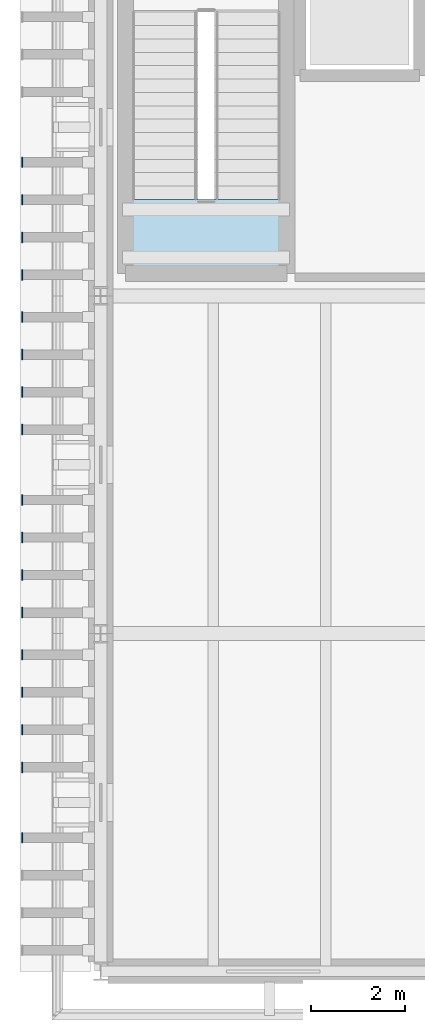
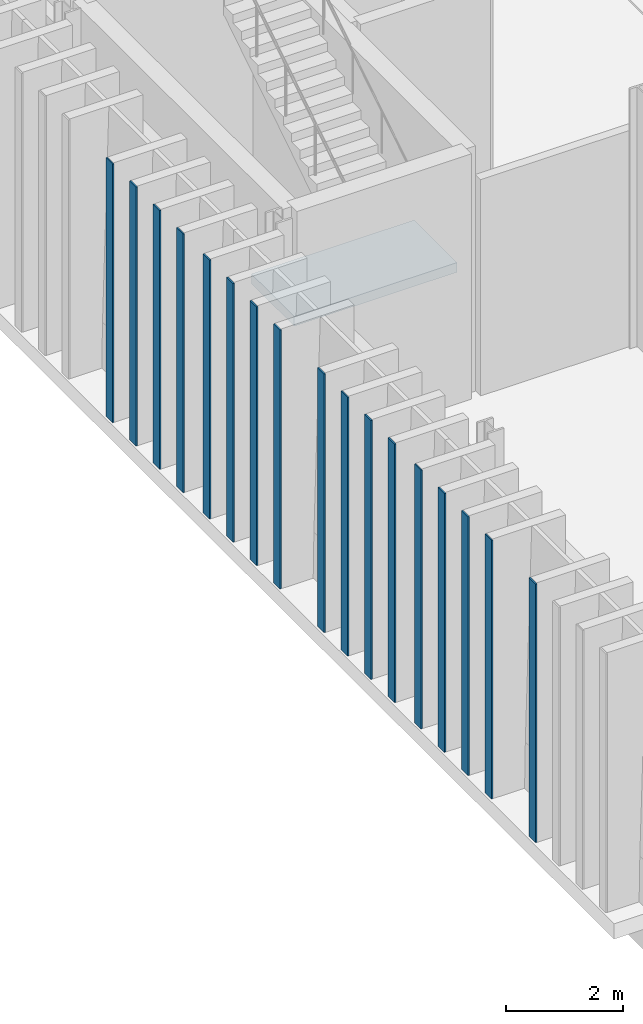
# One storey, part 48 of 120: 17 plates, 1 slab, 1 element without a shape of its own.
"""IFC4 building model written with IfcOpenShell, lengths in metres."""

import ifcopenshell
import ifcopenshell.guid

model = None  # the IFC model being written
_history = None  # IfcOwnerHistory: only IFC2X3 demands one
_inside = {}  # id of a spatial element -> (the spatial element, [elements in it])
_under = {}  # id of a project, library or spatial element -> (it, [spatial elements below it])
_declared = {}  # id of a project -> (the project, [libraries it declares])
_typed = {}  # id of a type object -> (the type object, [elements of that type])
_made_of = {}  # id of a material, layer set ... -> (it, [elements and type objects made of it])


def new_model(schema):
    """Start an empty IFC model of exactly this schema.

    Asked for "IFC4X3", IfcOpenShell would pick the latest addendum, in which some entities
    have other attributes; the version numbers below select the first issue.
    IFC2X3 requires an IfcOwnerHistory on every rooted entity: one is made here for all.
    """
    global model, _history
    if schema == "IFC4X3":
        model = ifcopenshell.file(schema_version=(4, 3, 0, 0))
    else:
        model = ifcopenshell.file(schema=schema)
    _inside.clear()
    _under.clear()
    _declared.clear()
    _typed.clear()
    _made_of.clear()
    _history = None
    if model.schema == "IFC2X3":
        org = make("IfcOrganization", Name="unknown")
        user = make(
            "IfcPersonAndOrganization",
            ThePerson=make("IfcPerson", FamilyName="unknown"),
            TheOrganization=org,
        )
        app = make(
            "IfcApplication",
            ApplicationDeveloper=org,
            Version="unknown",
            ApplicationFullName="unknown",
            ApplicationIdentifier="unknown",
        )
        _history = make(
            "IfcOwnerHistory",
            OwningUser=user,
            OwningApplication=app,
            ChangeAction="ADDED",
            CreationDate=0,
        )
    return model


def make(cls, **values):
    """One entity of the class cls with the attributes given. An attribute that is None is left unset."""
    return model.create_entity(
        cls, **{name: value for name, value in values.items() if value is not None}
    )


def rooted(cls, **values):
    """An entity with a GlobalId (a new one), such as an element, a storey or a relation."""
    return make(cls, GlobalId=ifcopenshell.guid.new(), OwnerHistory=_history, **values)


def si_unit(unit_type, name, prefix=None):
    """IfcSIUnit, for example si_unit("LENGTHUNIT", "METRE", prefix="MILLI")."""
    return make("IfcSIUnit", UnitType=unit_type, Prefix=prefix, Name=name)


def assignment(units):
    """IfcUnitAssignment: the units of a project."""
    return None if units is None else make("IfcUnitAssignment", Units=units)


def point(xyz):
    """IfcCartesianPoint."""
    return None if xyz is None else make("IfcCartesianPoint", Coordinates=xyz)


def direction(xyz):
    """IfcDirection."""
    return None if xyz is None else make("IfcDirection", DirectionRatios=xyz)


def frame(location, z_axis=None, x_axis=None):
    """IfcAxis2Placement3D, a coordinate frame: its origin and axes. An axis left out is left unset."""
    return make(
        "IfcAxis2Placement3D",
        Location=point(location),
        Axis=direction(z_axis),
        RefDirection=direction(x_axis),
    )


def frame_2d(location, x_axis=None):
    """IfcAxis2Placement2D, a coordinate frame in the plane: its origin and x axis."""
    return make(
        "IfcAxis2Placement2D", Location=point(location), RefDirection=direction(x_axis)
    )


def origin():
    """The frame at (0, 0, 0) with its axes left unset."""
    return frame((0.0, 0.0, 0.0))


def origin_2d():
    """The frame at (0, 0) in the plane with its x axis left unset."""
    return frame_2d((0.0, 0.0))


def place(relative_to, where):
    """IfcLocalPlacement: puts the frame where relative to a parent placement (None: the world)."""
    return make(
        "IfcLocalPlacement", PlacementRelTo=relative_to, RelativePlacement=where
    )


def context(
    kind, dimensions, precision=None, world=None, true_north=None, identifier=None
):
    """IfcGeometricRepresentationContext, for example the 3D "Model" context."""
    return make(
        "IfcGeometricRepresentationContext",
        ContextIdentifier=identifier,
        ContextType=kind,
        CoordinateSpaceDimension=dimensions,
        Precision=precision,
        WorldCoordinateSystem=world,
        TrueNorth=true_north,
    )


def subcontext(parent, identifier, kind, view, scale=None):
    """IfcGeometricRepresentationSubContext, for example "Body" below "Model"."""
    return make(
        "IfcGeometricRepresentationSubContext",
        ContextIdentifier=identifier,
        ContextType=kind,
        ParentContext=parent,
        TargetScale=scale,
        TargetView=view,
    )


def project(units=None, contexts=None):
    """IfcProject with its units and contexts."""
    return rooted(
        "IfcProject",
        Name="project",
        RepresentationContexts=contexts,
        UnitsInContext=assignment(units),
    )


def spatial(cls, under=None, at=None, **own):
    """A site, building, storey or space (cls), placed at a placement, below another one or the project."""
    s = rooted(cls, ObjectPlacement=at, **own)
    if under is not None:
        _under.setdefault(under.id(), (under, []))[1].append(s)
    return s


def polyline(points):
    """IfcPolyline through the points."""
    return make("IfcPolyline", Points=[point(p) for p in points])


def profile(cls, at=None, kind="AREA", **sizes):
    """A parametric profile (cls). Its sizes go by their IFC names, for example OverallWidth=200.0."""
    return make(cls, ProfileType=kind, Position=at, **sizes)


def rectangle(**sizes):
    """IfcRectangleProfileDef."""
    return profile("IfcRectangleProfileDef", **sizes)


def outline(outer, holes=None, kind="AREA"):
    """IfcArbitraryClosedProfileDef: a profile drawn as a closed curve; with holes, ...WithVoids."""
    if holes is None:
        return make("IfcArbitraryClosedProfileDef", ProfileType=kind, OuterCurve=outer)
    return make(
        "IfcArbitraryProfileDefWithVoids",
        ProfileType=kind,
        OuterCurve=outer,
        InnerCurves=holes,
    )


def extrude(swept, where, along, depth):
    """IfcExtrudedAreaSolid: the profile swept, set in the frame where, extruded along a direction by depth."""
    return make(
        "IfcExtrudedAreaSolid",
        SweptArea=swept,
        Position=where,
        ExtrudedDirection=direction(along),
        Depth=depth,
    )


def shape(context_of_items, identifier, shape_type, items):
    """IfcShapeRepresentation: the items that make up one representation, for example the "Body"."""
    return make(
        "IfcShapeRepresentation",
        ContextOfItems=context_of_items,
        RepresentationIdentifier=identifier,
        RepresentationType=shape_type,
        Items=items,
    )


def material(Name=None, Category=None):
    """IfcMaterial."""
    return make("IfcMaterial", Name=Name, Category=Category)


def layer(
    of_material, thickness, ventilated=None, Name=None, Category=None, Priority=None
):
    """IfcMaterialLayer: one layer of a wall or slab, of a material (None: an air gap)."""
    return make(
        "IfcMaterialLayer",
        Material=of_material,
        LayerThickness=thickness,
        IsVentilated=ventilated,
        Name=Name,
        Category=Category,
        Priority=Priority,
    )


def layer_set(layers, Name=None):
    """IfcMaterialLayerSet."""
    return make("IfcMaterialLayerSet", MaterialLayers=layers, LayerSetName=Name)


def made_of(thing, what):
    """Note that an element or type object is made of a material, layer set ...; save() writes the relation."""
    if what is not None:
        _made_of.setdefault(what.id(), (what, []))[1].append(thing)
    return thing


def type_object(cls, material=None, **own):
    """A type object (cls), such as IfcWallType, which elements share."""
    return made_of(rooted(cls, **own), material)


def element(
    cls,
    number,
    at=None,
    inside=None,
    cuts=None,
    type_object=None,
    material=None,
    context=None,
    identifier="Body",
    shape_type=None,
    held_by="IfcProductDefinitionShape",
    body=None,
    shapes=None,
    **own,
):
    """One element of the class cls, such as IfcWall. Its Tag is "e" and its number.

    at: its placement. inside: the storey or other place that contains it. cuts: it is an
    opening in that element (IfcRelVoidsElement). A single representation is given by context,
    identifier, shape_type and body (its items); several are given by shapes. held_by: the class
    of the entity that holds the representations. save() writes the other relations.
    """
    e = rooted(cls, Tag="e%d" % number, ObjectPlacement=at, **own)
    if body is not None:
        shapes = [shape(context, identifier, shape_type, body)]
    if shapes is not None:
        e.Representation = make(held_by, Representations=shapes)
    if inside is not None:
        _inside.setdefault(inside.id(), (inside, []))[1].append(e)
    if cuts is not None:
        rooted(
            "IfcRelVoidsElement", RelatingBuildingElement=cuts, RelatedOpeningElement=e
        )
    if type_object is not None:
        _typed.setdefault(type_object.id(), (type_object, []))[1].append(e)
    return made_of(e, material)


def aggregate(whole, parts):
    """IfcRelAggregates: a whole, such as a stair, and the parts it consists of."""
    return rooted("IfcRelAggregates", RelatingObject=whole, RelatedObjects=parts)


def save(model, path):
    """Write the relations noted so far, then the file.

    IfcRelAggregates (storeys below a building ...), IfcRelContainedInSpatialStructure (elements
    in a storey), IfcRelDefinesByType, IfcRelAssociatesMaterial and IfcRelDeclares: one each for
    every whole, place, type object, material and project.
    """
    for whole, parts in _under.values():
        aggregate(whole, parts)
    for where, things in _inside.values():
        rooted(
            "IfcRelContainedInSpatialStructure",
            RelatedElements=things,
            RelatingStructure=where,
        )
    for kind, things in _typed.values():
        rooted("IfcRelDefinesByType", RelatedObjects=things, RelatingType=kind)
    for what, things in _made_of.values():
        rooted("IfcRelAssociatesMaterial", RelatedObjects=things, RelatingMaterial=what)
    for by, libraries in _declared.values():
        rooted("IfcRelDeclares", RelatingContext=by, RelatedDefinitions=libraries)
    model.write(path)


model = new_model("IFC4")

# Units and contexts
model_context = context("Model", 3, precision=1e-05, world=origin(), true_north=direction((0.0, 1.0)))
body_context = subcontext(model_context, "Body", "Model", "MODEL_VIEW")
ifc_project = project(units=[si_unit("LENGTHUNIT", "METRE"), si_unit("AREAUNIT", "SQUARE_METRE"), si_unit("VOLUMEUNIT", "CUBIC_METRE"), si_unit("PLANEANGLEUNIT", "RADIAN"), si_unit("MASSUNIT", "GRAM", prefix="KILO")], contexts=[model_context])

# Site, building, storey
site_placement = place(None, origin())
site = spatial("IfcSite", under=ifc_project, at=site_placement, CompositionType="ELEMENT")
building_placement = place(site_placement, origin())
building = spatial("IfcBuilding", under=site, at=building_placement, Name="Narikvali Park Central Library", CompositionType="ELEMENT")
storey_placement = place(building_placement, origin())
storey = spatial("IfcBuildingStorey", under=building, at=storey_placement, Name="L00", CompositionType="ELEMENT", Elevation=0.0)

# Stair, slab
ifc_material_1 = material(Name="Concrete C35/45", Category="concrete")
stair_type = type_object("IfcStairType", Name="Core Enclosed Two-Flight Exit Stair", PredefinedType="HALF_TURN_STAIR", material=ifc_material_1)
stair_placement = place(storey_placement, origin())
stair = element("IfcStair", 1, at=stair_placement, inside=storey, type_object=stair_type, Name="L00 Exit Stair ST-09", PredefinedType="HALF_TURN_STAIR")
ifc_layer_1 = layer(ifc_material_1, 0.199951171875, Name="Concrete C35/45")
ifc_layer_set_1 = layer_set([ifc_layer_1], Name="Concrete C35/45")
slab_type = type_object("IfcSlabType", Name="Stair Half-Landing Concrete Slab 200", PredefinedType="LANDING", material=ifc_layer_set_1)
slab_placement = place(storey_placement, frame((0.0, 0.0, 2.5)))
slab = element("IfcSlab", 2, at=slab_placement, type_object=slab_type, Name="ST-09 landing 1", PredefinedType="LANDING", context=body_context, shape_type="SweptSolid", body=[
    extrude(outline(polyline([(0.64990234375, 45.260009765625), (0.64990234375, 43.800048828125), (3.85009765625, 43.800048828125), (3.85009765625, 45.260009765625), (0.64990234375, 45.260009765625)])), origin(), (0.0, 0.0, 1.0), 0.199951171875),
])
aggregate(stair, [slab])

# Plates
ifc_material_2 = material(Name="Anodised Bronze Aluminium", Category="aluminium")
ifc_layer_2 = layer(ifc_material_2, 0.028076171875, Name="Anodised Bronze Aluminium")
ifc_layer_set_2 = layer_set([ifc_layer_2], Name="Anodised Bronze Aluminium")
plate_type = type_object("IfcPlateType", Name="Vertical Brick Fin Bronze Bullnose Cap 28", PredefinedType="SHEET", material=ifc_layer_set_2)
for number, where, z_axis, x_axis, name in (
    (3, (-1.672119140625, 31.64990234375, 0.010009765625), (0.0, 0.0, 1.0), (1.0, 0.0, 0.0), "West Stacks Fin Bullnose Trim 013"),
    (4, (-1.672119140625, 33.14990234375, 0.010009765625), (0.0, 0.0, 1.0), (1.0, 0.0, 0.0), "West Stacks Fin Bullnose Trim 017"),
    (5, (-1.672119140625, 33.949951171875, 0.010009765625), (0.0, 0.0, 1.0), (1.0, 0.0, 0.0), "West Stacks Fin Bullnose Trim 021"),
    (6, (-1.672119140625, 34.75, 0.010009765625), (0.0, 0.0, 1.0), (1.0, 0.0, 0.0), "West Stacks Fin Bullnose Trim 025"),
    (7, (-1.672119140625, 35.550048828125, 0.010009765625), (0.0, 0.0, 1.0), (1.0, 0.0, 0.0), "West Stacks Fin Bullnose Trim 029"),
    (8, (-1.672119140625, 36.449951171875, 0.010009765625), (0.0, 0.0, 1.0), (1.0, 0.0, 0.0), "West Stacks Fin Bullnose Trim 033"),
    (9, (-1.672119140625, 37.25, 0.010009765625), (0.0, 0.0, 1.0), (1.0, 0.0, 0.0), "West Stacks Fin Bullnose Trim 038"),
    (10, (-1.672119140625, 38.050048828125, 0.010009765625), (0.0, 0.0, 1.0), (1.0, 0.0, 0.0), "West Stacks Fin Bullnose Trim 043"),
    (11, (-1.672119140625, 38.85009765625, 0.010009765625), (0.0, 0.0, 1.0), (1.0, 0.0, 0.0), "West Stacks Fin Bullnose Trim 048"),
    (12, (-1.672119140625, 40.35009765625, 0.010009765625), (0.0, 0.0, 1.0), (1.0, 0.0, 0.0), "West Stacks Fin Bullnose Trim 053"),
    (13, (-1.672119140625, 41.14990234375, 0.010009765625), (0.0, 0.0, 1.0), (1.0, 0.0, 0.0), "West Stacks Fin Bullnose Trim 058"),
    (14, (-1.672119140625, 41.949951171875, 0.010009765625), (0.0, 0.0, 1.0), (1.0, 0.0, 0.0), "West Stacks Fin Bullnose Trim 063"),
    (15, (-1.672119140625, 42.75, 0.010009765625), (0.0, 0.0, 1.0), (1.0, 0.0, 0.0), "West Stacks Fin Bullnose Trim 068"),
    (16, (-1.672119140625, 43.64990234375, 0.010009765625), (0.0, 0.0, 1.0), (1.0, 0.0, 0.0), "West Stacks Fin Bullnose Trim 073"),
    (17, (-1.672119140625, 44.449951171875, 0.010009765625), (0.0, 0.0, 1.0), (1.0, 0.0, 0.0), "West Stacks Fin Bullnose Trim 079"),
    (18, (-1.672119140625, 45.25, 0.010009765625), (0.0, 0.0, 1.0), (1.0, 0.0, 0.0), "West Stacks Fin Bullnose Trim 085"),
    (19, (-1.672119140625, 46.050048828125, 0.010009765625), (0.0, 0.0, 1.0), (1.0, 0.0, 0.0), "West Stacks Fin Bullnose Trim 091"),
):
    element("IfcPlate", number, at=place(storey_placement, frame(where, z_axis=z_axis, x_axis=x_axis)), inside=storey, type_object=plate_type, Name=name, PredefinedType="SHEET", context=body_context, shape_type="SweptSolid", body=[
        extrude(rectangle(XDim=0.028076171875, YDim=0.219970703125, at=origin_2d()), origin(), (0.0, 0.0, 1.0), 5.3798828125),
    ])

save(model, "model.ifc")
